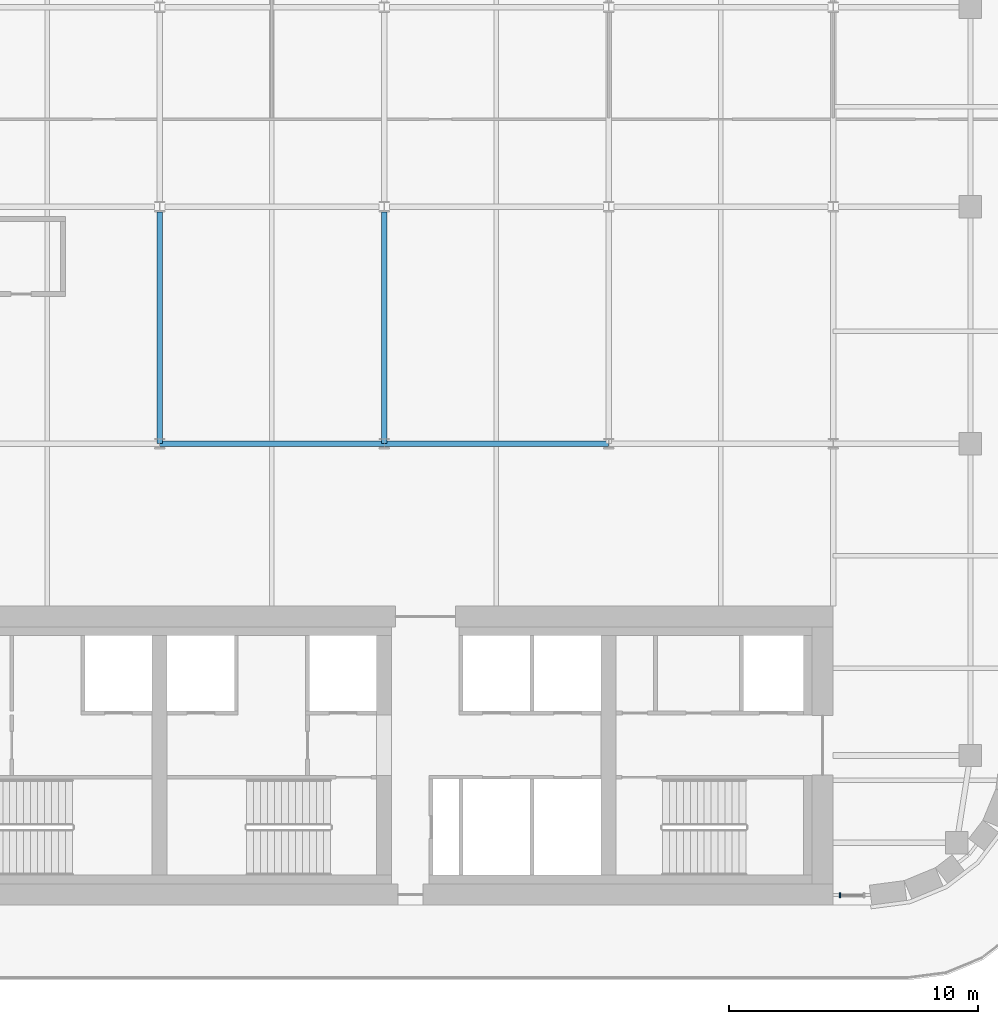
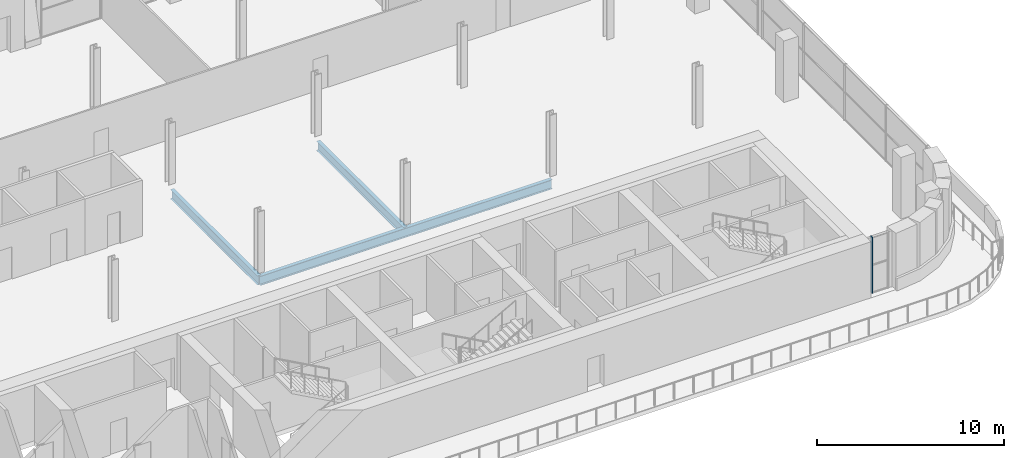
# One storey, part 5 of 23: 3 beams, 1 member, 1 element without a shape of its own.
"""IFC4 building model written with IfcOpenShell, lengths in metres."""

import ifcopenshell
import ifcopenshell.guid

model = None  # the IFC model being written
_history = None  # IfcOwnerHistory: only IFC2X3 demands one
_inside = {}  # id of a spatial element -> (the spatial element, [elements in it])
_under = {}  # id of a project, library or spatial element -> (it, [spatial elements below it])
_declared = {}  # id of a project -> (the project, [libraries it declares])
_typed = {}  # id of a type object -> (the type object, [elements of that type])
_made_of = {}  # id of a material, layer set ... -> (it, [elements and type objects made of it])


def new_model(schema):
    """Start an empty IFC model of exactly this schema.

    Asked for "IFC4X3", IfcOpenShell would pick the latest addendum, in which some entities
    have other attributes; the version numbers below select the first issue.
    IFC2X3 requires an IfcOwnerHistory on every rooted entity: one is made here for all.
    """
    global model, _history
    if schema == "IFC4X3":
        model = ifcopenshell.file(schema_version=(4, 3, 0, 0))
    else:
        model = ifcopenshell.file(schema=schema)
    _inside.clear()
    _under.clear()
    _declared.clear()
    _typed.clear()
    _made_of.clear()
    _history = None
    if model.schema == "IFC2X3":
        org = make("IfcOrganization", Name="unknown")
        user = make(
            "IfcPersonAndOrganization",
            ThePerson=make("IfcPerson", FamilyName="unknown"),
            TheOrganization=org,
        )
        app = make(
            "IfcApplication",
            ApplicationDeveloper=org,
            Version="unknown",
            ApplicationFullName="unknown",
            ApplicationIdentifier="unknown",
        )
        _history = make(
            "IfcOwnerHistory",
            OwningUser=user,
            OwningApplication=app,
            ChangeAction="ADDED",
            CreationDate=0,
        )
    return model


def make(cls, **values):
    """One entity of the class cls with the attributes given. An attribute that is None is left unset."""
    return model.create_entity(
        cls, **{name: value for name, value in values.items() if value is not None}
    )


def rooted(cls, **values):
    """An entity with a GlobalId (a new one), such as an element, a storey or a relation."""
    return make(cls, GlobalId=ifcopenshell.guid.new(), OwnerHistory=_history, **values)


def si_unit(unit_type, name, prefix=None):
    """IfcSIUnit, for example si_unit("LENGTHUNIT", "METRE", prefix="MILLI")."""
    return make("IfcSIUnit", UnitType=unit_type, Prefix=prefix, Name=name)


def assignment(units):
    """IfcUnitAssignment: the units of a project."""
    return None if units is None else make("IfcUnitAssignment", Units=units)


def point(xyz):
    """IfcCartesianPoint."""
    return None if xyz is None else make("IfcCartesianPoint", Coordinates=xyz)


def direction(xyz):
    """IfcDirection."""
    return None if xyz is None else make("IfcDirection", DirectionRatios=xyz)


def frame(location, z_axis=None, x_axis=None):
    """IfcAxis2Placement3D, a coordinate frame: its origin and axes. An axis left out is left unset."""
    return make(
        "IfcAxis2Placement3D",
        Location=point(location),
        Axis=direction(z_axis),
        RefDirection=direction(x_axis),
    )


def frame_2d(location, x_axis=None):
    """IfcAxis2Placement2D, a coordinate frame in the plane: its origin and x axis."""
    return make(
        "IfcAxis2Placement2D", Location=point(location), RefDirection=direction(x_axis)
    )


def origin():
    """The frame at (0, 0, 0) with its axes left unset."""
    return frame((0.0, 0.0, 0.0))


def origin_2d():
    """The frame at (0, 0) in the plane with its x axis left unset."""
    return frame_2d((0.0, 0.0))


def place(relative_to, where):
    """IfcLocalPlacement: puts the frame where relative to a parent placement (None: the world)."""
    return make(
        "IfcLocalPlacement", PlacementRelTo=relative_to, RelativePlacement=where
    )


def context(
    kind, dimensions, precision=None, world=None, true_north=None, identifier=None
):
    """IfcGeometricRepresentationContext, for example the 3D "Model" context."""
    return make(
        "IfcGeometricRepresentationContext",
        ContextIdentifier=identifier,
        ContextType=kind,
        CoordinateSpaceDimension=dimensions,
        Precision=precision,
        WorldCoordinateSystem=world,
        TrueNorth=true_north,
    )


def subcontext(parent, identifier, kind, view, scale=None):
    """IfcGeometricRepresentationSubContext, for example "Body" below "Model"."""
    return make(
        "IfcGeometricRepresentationSubContext",
        ContextIdentifier=identifier,
        ContextType=kind,
        ParentContext=parent,
        TargetScale=scale,
        TargetView=view,
    )


def project(units=None, contexts=None):
    """IfcProject with its units and contexts."""
    return rooted(
        "IfcProject",
        Name="project",
        RepresentationContexts=contexts,
        UnitsInContext=assignment(units),
    )


def spatial(cls, under=None, at=None, **own):
    """A site, building, storey or space (cls), placed at a placement, below another one or the project."""
    s = rooted(cls, ObjectPlacement=at, **own)
    if under is not None:
        _under.setdefault(under.id(), (under, []))[1].append(s)
    return s


def profile(cls, at=None, kind="AREA", **sizes):
    """A parametric profile (cls). Its sizes go by their IFC names, for example OverallWidth=200.0."""
    return make(cls, ProfileType=kind, Position=at, **sizes)


def rectangle(**sizes):
    """IfcRectangleProfileDef."""
    return profile("IfcRectangleProfileDef", **sizes)


def i_section(**sizes):
    """IfcIShapeProfileDef."""
    return profile("IfcIShapeProfileDef", **sizes)


def extrude(swept, where, along, depth):
    """IfcExtrudedAreaSolid: the profile swept, set in the frame where, extruded along a direction by depth."""
    return make(
        "IfcExtrudedAreaSolid",
        SweptArea=swept,
        Position=where,
        ExtrudedDirection=direction(along),
        Depth=depth,
    )


def shape(context_of_items, identifier, shape_type, items):
    """IfcShapeRepresentation: the items that make up one representation, for example the "Body"."""
    return make(
        "IfcShapeRepresentation",
        ContextOfItems=context_of_items,
        RepresentationIdentifier=identifier,
        RepresentationType=shape_type,
        Items=items,
    )


def material(Name=None, Category=None):
    """IfcMaterial."""
    return make("IfcMaterial", Name=Name, Category=Category)


def material_profile(
    of_material, cross_section, Name=None, Category=None, Priority=None
):
    """IfcMaterialProfile: a cross section and its material."""
    return make(
        "IfcMaterialProfile",
        Name=Name,
        Material=of_material,
        Profile=cross_section,
        Priority=Priority,
        Category=Category,
    )


def profile_set(profiles, Name=None, composite=None):
    """IfcMaterialProfileSet."""
    return make(
        "IfcMaterialProfileSet",
        Name=Name,
        MaterialProfiles=profiles,
        CompositeProfile=composite,
    )


def made_of(thing, what):
    """Note that an element or type object is made of a material, layer set ...; save() writes the relation."""
    if what is not None:
        _made_of.setdefault(what.id(), (what, []))[1].append(thing)
    return thing


def type_object(cls, material=None, **own):
    """A type object (cls), such as IfcWallType, which elements share."""
    return made_of(rooted(cls, **own), material)


def element(
    cls,
    number,
    at=None,
    inside=None,
    cuts=None,
    type_object=None,
    material=None,
    context=None,
    identifier="Body",
    shape_type=None,
    held_by="IfcProductDefinitionShape",
    body=None,
    shapes=None,
    **own,
):
    """One element of the class cls, such as IfcWall. Its Tag is "e" and its number.

    at: its placement. inside: the storey or other place that contains it. cuts: it is an
    opening in that element (IfcRelVoidsElement). A single representation is given by context,
    identifier, shape_type and body (its items); several are given by shapes. held_by: the class
    of the entity that holds the representations. save() writes the other relations.
    """
    e = rooted(cls, Tag="e%d" % number, ObjectPlacement=at, **own)
    if body is not None:
        shapes = [shape(context, identifier, shape_type, body)]
    if shapes is not None:
        e.Representation = make(held_by, Representations=shapes)
    if inside is not None:
        _inside.setdefault(inside.id(), (inside, []))[1].append(e)
    if cuts is not None:
        rooted(
            "IfcRelVoidsElement", RelatingBuildingElement=cuts, RelatedOpeningElement=e
        )
    if type_object is not None:
        _typed.setdefault(type_object.id(), (type_object, []))[1].append(e)
    return made_of(e, material)


def aggregate(whole, parts):
    """IfcRelAggregates: a whole, such as a stair, and the parts it consists of."""
    return rooted("IfcRelAggregates", RelatingObject=whole, RelatedObjects=parts)


def save(model, path):
    """Write the relations noted so far, then the file.

    IfcRelAggregates (storeys below a building ...), IfcRelContainedInSpatialStructure (elements
    in a storey), IfcRelDefinesByType, IfcRelAssociatesMaterial and IfcRelDeclares: one each for
    every whole, place, type object, material and project.
    """
    for whole, parts in _under.values():
        aggregate(whole, parts)
    for where, things in _inside.values():
        rooted(
            "IfcRelContainedInSpatialStructure",
            RelatedElements=things,
            RelatingStructure=where,
        )
    for kind, things in _typed.values():
        rooted("IfcRelDefinesByType", RelatedObjects=things, RelatingType=kind)
    for what, things in _made_of.values():
        rooted("IfcRelAssociatesMaterial", RelatedObjects=things, RelatingMaterial=what)
    for by, libraries in _declared.values():
        rooted("IfcRelDeclares", RelatingContext=by, RelatedDefinitions=libraries)
    model.write(path)


model = new_model("IFC4")

# Units and contexts
model_context = context("Model", 3, precision=1e-05, world=origin(), true_north=direction((0.0, 1.0)))
body_context = subcontext(model_context, "Body", "Model", "MODEL_VIEW")
ifc_project = project(units=[si_unit("LENGTHUNIT", "METRE"), si_unit("AREAUNIT", "SQUARE_METRE"), si_unit("VOLUMEUNIT", "CUBIC_METRE"), si_unit("PLANEANGLEUNIT", "RADIAN"), si_unit("MASSUNIT", "GRAM", prefix="KILO")], contexts=[model_context])

# Site, building, storey
site_placement = place(None, origin())
site = spatial("IfcSite", under=ifc_project, at=site_placement, CompositionType="ELEMENT")
building_placement = place(site_placement, origin())
building = spatial("IfcBuilding", under=site, at=building_placement, Name="Zellij Exchange Tower", CompositionType="ELEMENT")
storey_placement = place(building_placement, frame((0.0, 0.0, 212.5)))
storey = spatial("IfcBuildingStorey", under=building, at=storey_placement, Name="L49", CompositionType="ELEMENT", Elevation=212.5)

# Curtain wall, member
ifc_material_1 = material(Name="Aluminium frame, clear insulating glass", Category="aluminium")
curtain_wall_type = type_object("IfcCurtainWallType", Name="ENV-CW6 Sky-lobby glazing", PredefinedType="NOTDEFINED", material=ifc_material_1)
curtain_wall_placement = place(storey_placement, origin())
curtain_wall = element("IfcCurtainWall", 1, at=curtain_wall_placement, inside=storey, type_object=curtain_wall_type, Name="cw.L49.00b", PredefinedType="NOTDEFINED")
ifc_material_2 = material(Name="Aluminium", Category="aluminium")
ifc_material_profile_1 = material_profile(ifc_material_2, rectangle(XDim=0.06005859375, YDim=0.199951171875, at=origin_2d()), Name="AL 60x200")
ifc_profile_set_1 = profile_set([ifc_material_profile_1], Name="Aluminium")
member_type = type_object("IfcMemberType", Name="ENV-CW6M Mullion 60x200", PredefinedType="MULLION", material=ifc_profile_set_1)
member_placement = place(storey_placement, frame((27.280029296875, -13.60009765625, 0.0), z_axis=(0.0, 0.0, 1.0), x_axis=(1.0, 0.0, 0.0)))
member = element("IfcMember", 2, at=member_placement, type_object=member_type, Name="CW6 mullion 1", PredefinedType="MULLION", context=body_context, shape_type="SweptSolid", body=[
    extrude(rectangle(XDim=0.06005859375, YDim=0.199951171875, at=origin_2d()), origin(), (0.0, 0.0, 1.0), 3.64990234375),
])
aggregate(curtain_wall, [member])

# Beams
ifc_material_3 = material(Name="Structural steel ASTM A992 Gr 50", Category="steel")
ifc_material_profile_2 = material_profile(ifc_material_3, i_section(OverallWidth=0.228271484375, OverallDepth=0.607177734375, WebThickness=0.01123046875, FlangeThickness=0.017333984375, at=origin_2d()), Name="W24x76")
ifc_profile_set_2 = profile_set([ifc_material_profile_2], Name="Structural steel ASTM A992 Gr 50")
beam_type = type_object("IfcBeamType", Name="STR-GIRDER W24x76", PredefinedType="BEAM", material=ifc_profile_set_2)
beam_placement = place(storey_placement, frame((0.0, 4.5, -0.603515625), z_axis=(1.0, 0.0, 0.0), x_axis=(0.0, 1.0, 0.0)))
element("IfcBeam", 3, at=beam_placement, inside=storey, type_object=beam_type, Name="G2", PredefinedType="BEAM", context=body_context, shape_type="SweptSolid", body=[
    extrude(i_section(OverallWidth=0.228271484375, OverallDepth=0.607177734375, WebThickness=0.01123046875, FlangeThickness=0.017333984375, at=origin_2d()), origin(), (0.0, 0.0, 1.0), 18.0),
])
for number, where, z_axis, x_axis, name in (
    (4, (0.0, 4.5, -0.603515625), (0.0, 1.0, 0.0), (-1.0, 0.0, 0.0), "G2"),
    (5, (9.0, 4.5, -0.603515625), (0.0, 1.0, 0.0), (-1.0, 0.0, 0.0), "G2"),
):
    element("IfcBeam", number, at=place(storey_placement, frame(where, z_axis=z_axis, x_axis=x_axis)), inside=storey, type_object=beam_type, Name=name, PredefinedType="BEAM", context=body_context, shape_type="SweptSolid", body=[
        extrude(i_section(OverallWidth=0.228271484375, OverallDepth=0.607177734375, WebThickness=0.01123046875, FlangeThickness=0.017333984375, at=origin_2d()), origin(), (0.0, 0.0, 1.0), 9.287841796875),
    ])

save(model, "model.ifc")
